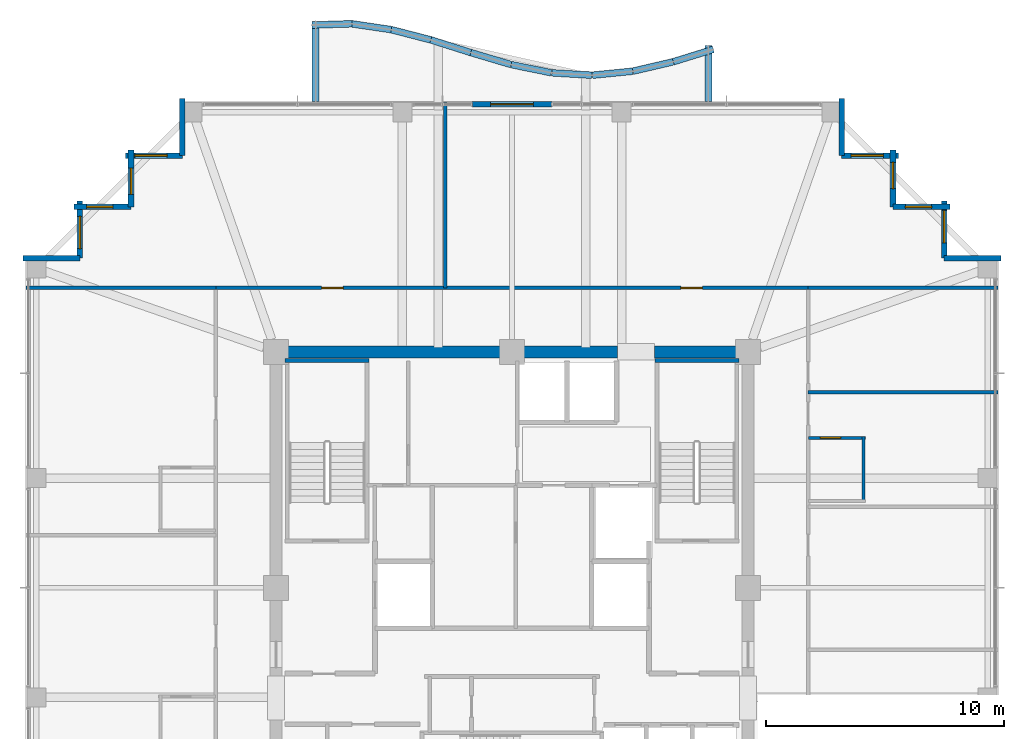
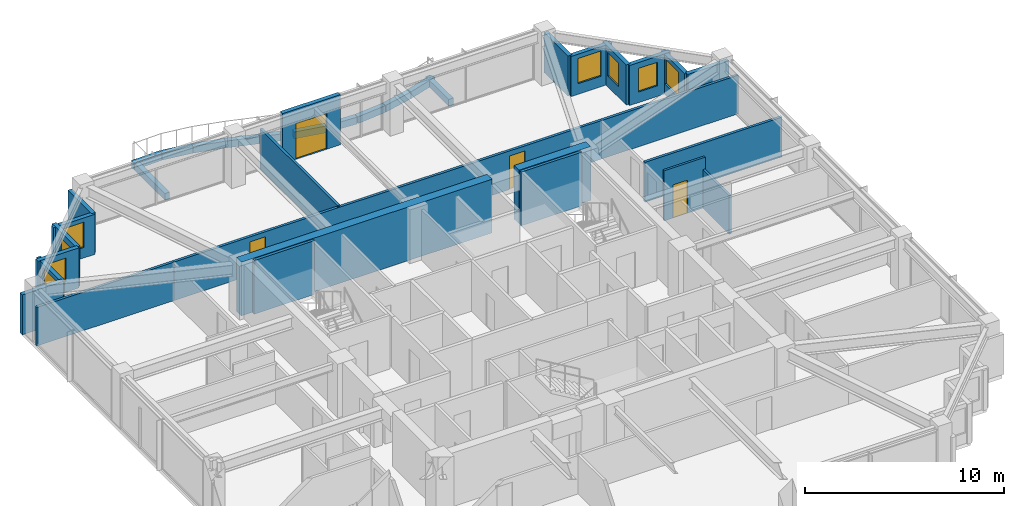
# One storey, part 33 of 36: 36 walls, 8 windows, 4 doors, 12 openings.
"""IFC4 building model written with IfcOpenShell, lengths in metres."""

from ifc_helpers import new_model, si_unit, direction, frame, frame_2d, origin, place, context, subcontext, project, spatial, rectangle, extrude, material, layer, layer_set, type_object, element, fill, save


model = new_model("IFC4")

# Units and contexts
model_context = context("Model", 3, precision=1e-05, world=origin(), true_north=direction((0.0, 1.0)))
body_context = subcontext(model_context, "Body", "Model", "MODEL_VIEW")
ifc_project = project(units=[si_unit("LENGTHUNIT", "METRE"), si_unit("AREAUNIT", "SQUARE_METRE"), si_unit("VOLUMEUNIT", "CUBIC_METRE"), si_unit("PLANEANGLEUNIT", "RADIAN"), si_unit("MASSUNIT", "GRAM", prefix="KILO")], contexts=[model_context])

# Site, building, storey
site_placement = place(None, origin())
site = spatial("IfcSite", under=ifc_project, at=site_placement, CompositionType="ELEMENT")
building_placement = place(site_placement, origin())
building = spatial("IfcBuilding", under=site, at=building_placement, Name="Kolvaren Belvedere", CompositionType="ELEMENT")
storey_placement = place(building_placement, frame((0.0, 0.0, 196.5)))
storey = spatial("IfcBuildingStorey", under=building, at=storey_placement, Name="L57", CompositionType="ELEMENT", Elevation=196.5)

# Walls
ifc_material_1 = material(Name="Concrete C50/60", Category="concrete")
ifc_layer_1 = layer(ifc_material_1, 0.5)
ifc_layer_set_1 = layer_set([ifc_layer_1], Name="Concrete C50/60")
wall_type_1 = type_object("IfcWallType", Name="CW-CORE-500", PredefinedType="SHEAR", material=ifc_layer_set_1)
wall_1_placement = place(storey_placement, frame((-10.14990234375, 9.89990234375, 0.0), z_axis=(0.0, 0.0, 1.0), x_axis=(1.0, 0.0, 0.0)))
element("IfcWall", 1, at=wall_1_placement, inside=storey, type_object=wall_type_1, Name="L57 North Core Shear Wall 1", PredefinedType="SHEAR", context=body_context, shape_type="SweptSolid", body=[
    extrude(rectangle(XDim=14.56982421875, YDim=0.5, at=frame_2d((7.284912109375, 0.0))), origin(), (0.0, 0.0, 1.0), 3.300048828125),
])
wall_2_placement = place(storey_placement, frame((5.97998046875, 9.89990234375, 0.0), z_axis=(0.0, 0.0, 1.0), x_axis=(1.0, 0.0, 0.0)))
element("IfcWall", 2, at=wall_2_placement, inside=storey, type_object=wall_type_1, Name="L57 North Core Shear Wall 2", PredefinedType="SHEAR", context=body_context, shape_type="SweptSolid", body=[
    extrude(rectangle(XDim=4.169921875, YDim=0.5, at=frame_2d((2.0849609375, 0.0))), origin(), (0.0, 0.0, 1.0), 3.300048828125),
])
ifc_material_2 = material(Name="Concrete C50/60", Category="concrete")
ifc_layer_2 = layer(ifc_material_2, 0.159912109375)
ifc_layer_set_2 = layer_set([ifc_layer_2], Name="Concrete C50/60")
wall_type_2 = type_object("IfcWallType", Name="CW-STAIR-160", PredefinedType="SHEAR", material=ifc_layer_set_2)
for number, where, z_axis, x_axis, name in (
    (3, (-9.52001953125, 9.530029296875, 0.0), (0.0, 0.0, 1.0), (1.0, 0.0, 0.0), "L57 Stair ST-1 North Shear Wall"),
    (4, (6.0, 9.530029296875, 0.0), (0.0, 0.0, 1.0), (1.0, 0.0, 0.0), "L57 Stair ST-2 North Shear Wall"),
):
    element("IfcWall", number, at=place(storey_placement, frame(where, z_axis=z_axis, x_axis=x_axis)), inside=storey, type_object=wall_type_2, Name=name, PredefinedType="SHEAR", context=body_context, shape_type="SweptSolid", body=[
        extrude(rectangle(XDim=3.52001953125, YDim=0.159912109375, at=frame_2d((1.760009765625, 0.0))), origin(), (0.0, 0.0, 1.0), 3.300048828125),
    ])

# Wall, openings, doors
ifc_material_3 = material(Name="Gypsum fire-rated partition assembly", Category="gypsum")
ifc_layer_3 = layer(ifc_material_3, 0.14990234375)
ifc_layer_set_3 = layer_set([ifc_layer_3], Name="Gypsum fire-rated partition assembly")
wall_type_3 = type_object("IfcWallType", Name="WL-CORR-150", PredefinedType="PARTITIONING", material=ifc_layer_set_3)
wall_3_placement = place(storey_placement, frame((-12.419921875, 12.580078125, 0.0), z_axis=(0.0, 0.0, 1.0), x_axis=(1.0, 0.0, 0.0)))
wall_3 = element("IfcWall", 5, at=wall_3_placement, inside=storey, type_object=wall_type_3, Name="L57 North Corridor Wall", PredefinedType="PARTITIONING", context=body_context, shape_type="SweptSolid", body=[
    extrude(rectangle(XDim=24.83984375, YDim=0.14990234375, at=frame_2d((12.419921875, 0.0))), origin(), (0.0, 0.0, 1.0), 2.368896484375),
])
opening_1_placement = place(wall_3_placement, frame((4.43505859375, 0.0, 0.0)))
opening_1 = element("IfcOpeningElement", 6, at=opening_1_placement, cuts=wall_3, Name="Opening D-INT90", PredefinedType="OPENING", context=body_context, shape_type="SweptSolid", body=[
    extrude(rectangle(XDim=0.89990234375, YDim=2.06005859375, at=frame_2d((0.449951171875, 1.030029296875))), frame((0.0, 0.0849609375, 0.0), z_axis=(0.0, -1.0, 0.0), x_axis=(1.0, 0.0, 0.0)), (0.0, 0.0, 1.0), 0.169921875),
])
opening_2_placement = place(wall_3_placement, frame((19.5048828125, 0.0, 0.0)))
opening_2 = element("IfcOpeningElement", 7, at=opening_2_placement, cuts=wall_3, Name="Opening D-INT90", PredefinedType="OPENING", context=body_context, shape_type="SweptSolid", body=[
    extrude(rectangle(XDim=0.89990234375, YDim=2.06005859375, at=frame_2d((0.449951171875, 1.030029296875))), frame((0.0, 0.0849609375, 0.0), z_axis=(0.0, -1.0, 0.0), x_axis=(1.0, 0.0, 0.0)), (0.0, 0.0, 1.0), 0.169921875),
])
ifc_material_4 = material(Name="Stained Pacific white oak", Category="timber")
door_type_1 = type_object("IfcDoorType", Name="DR-INT-900", OperationType="NOTDEFINED", PredefinedType="DOOR", material=ifc_material_4)
door_1_placement = place(opening_1_placement, origin())
door_1 = element("IfcDoor", 8, at=door_1_placement, inside=storey, type_object=door_type_1, Name="L57 Lounge 5711 Door", OperationType="SINGLE_SWING_RIGHT", OverallHeight=2.06005859375, OverallWidth=0.89990234375, PredefinedType="DOOR", context=body_context, shape_type="SweptSolid", body=[
    extrude(rectangle(XDim=0.89990234375, YDim=2.06005859375, at=frame_2d((0.449951171875, 1.030029296875))), frame((0.0, 0.02490234375, 0.0), z_axis=(0.0, -1.0, 0.0), x_axis=(1.0, 0.0, 0.0)), (0.0, 0.0, 1.0), 0.050048828125),
])
fill(opening_1, door_1)
door_2_placement = place(opening_2_placement, origin())
door_2 = element("IfcDoor", 9, at=door_2_placement, inside=storey, type_object=door_type_1, Name="L57 Lounge 5712 Door", OperationType="SINGLE_SWING_LEFT", OverallHeight=2.06005859375, OverallWidth=0.89990234375, PredefinedType="DOOR", context=body_context, shape_type="SweptSolid", body=[
    extrude(rectangle(XDim=0.89990234375, YDim=2.06005859375, at=frame_2d((0.449951171875, 1.030029296875))), frame((0.0, 0.02490234375, 0.0), z_axis=(0.0, -1.0, 0.0), x_axis=(1.0, 0.0, 0.0)), (0.0, 0.0, 1.0), 0.050048828125),
])
fill(opening_2, door_2)

# Wall
ifc_material_5 = material(Name="Insulated pale-metal facade wall assembly", Category="aluminium")
ifc_layer_4 = layer(ifc_material_5, 0.239990234375)
ifc_layer_set_4 = layer_set([ifc_layer_4], Name="Insulated pale-metal facade wall assembly")
wall_type_4 = type_object("IfcWallType", Name="WL-EXT-240", PredefinedType="STANDARD", material=ifc_layer_set_4)
wall_4_placement = place(storey_placement, frame((18.1298828125, 13.830078125, 0.0), z_axis=(0.0, 0.0, 1.0), x_axis=(1.0, 0.0, 0.0)))
element("IfcWall", 10, at=wall_4_placement, inside=storey, type_object=wall_type_4, Name="L57 Serrated Corner Facade Wall 9", PredefinedType="STANDARD", context=body_context, shape_type="SweptSolid", body=[
    extrude(rectangle(XDim=2.39013671875, YDim=0.239990234375, at=frame_2d((1.195068359375, 0.0))), origin(), (0.0, 0.0, 1.0), 2.462890625),
])

# Wall, opening, window
wall_5_placement = place(storey_placement, frame((18.1298828125, 16.219970703125, 0.0), z_axis=(0.0, 0.0, 1.0), x_axis=(0.0, -1.0, 0.0)))
wall_5 = element("IfcWall", 11, at=wall_5_placement, inside=storey, type_object=wall_type_4, Name="L57 Serrated Corner Facade Wall 10", PredefinedType="STANDARD", context=body_context, shape_type="SweptSolid", body=[
    extrude(rectangle(XDim=2.389892578125, YDim=0.239990234375, at=frame_2d((1.19482421875, 0.0))), origin(), (0.0, 0.0, 1.0), 2.462890625),
])
opening_3_placement = place(wall_5_placement, frame((0.39990234375, 0.0, 0.64990234375)))
opening_3 = element("IfcOpeningElement", 12, at=opening_3_placement, cuts=wall_5, Name="Opening W-1350", PredefinedType="OPENING", context=body_context, shape_type="SweptSolid", body=[
    extrude(rectangle(XDim=1.35009765625, YDim=1.550048828125, at=frame_2d((0.675048828125, 0.77490234375))), frame((0.0, 0.1298828125, 0.0), z_axis=(0.0, -1.0, 0.0), x_axis=(1.0, 0.0, 0.0)), (0.0, 0.0, 1.0), 0.260009765625),
])
ifc_material_6 = material(Name="Low-iron triple insulated glass", Category="glass")
window_type_1 = type_object("IfcWindowType", Name="WN-CORN-1350", PartitioningType="SINGLE_PANEL", PredefinedType="WINDOW", material=ifc_material_6)
window_1_placement = place(opening_3_placement, origin())
window_1 = element("IfcWindow", 13, at=window_1_placement, inside=storey, type_object=window_type_1, Name="L57 Serrated Corner Vision Window 10", OverallHeight=1.550048828125, OverallWidth=1.35009765625, PartitioningType="SINGLE_PANEL", PredefinedType="WINDOW", context=body_context, shape_type="SweptSolid", body=[
    extrude(rectangle(XDim=1.35009765625, YDim=1.550048828125, at=frame_2d((0.675048828125, 0.77490234375))), frame((0.0, 0.030029296875, 0.0), z_axis=(0.0, -1.0, 0.0), x_axis=(1.0, 0.0, 0.0)), (0.0, 0.0, 1.0), 0.06005859375),
])
fill(opening_3, window_1)

wall_6_placement = place(storey_placement, frame((15.97998046875, 15.97998046875, 0.0), z_axis=(0.0, 0.0, 1.0), x_axis=(1.0, 0.0, 0.0)))
wall_6 = element("IfcWall", 14, at=wall_6_placement, inside=storey, type_object=wall_type_4, Name="L57 Serrated Corner Facade Wall 11", PredefinedType="STANDARD", context=body_context, shape_type="SweptSolid", body=[
    extrude(rectangle(XDim=2.39013671875, YDim=0.239990234375, at=frame_2d((1.195068359375, 0.0))), origin(), (0.0, 0.0, 1.0), 2.462890625),
])
opening_4_placement = place(wall_6_placement, frame((0.52490234375, 0.0, 0.64990234375)))
opening_4 = element("IfcOpeningElement", 15, at=opening_4_placement, cuts=wall_6, Name="Opening W-1100", PredefinedType="OPENING", context=body_context, shape_type="SweptSolid", body=[
    extrude(rectangle(XDim=1.10009765625, YDim=1.449951171875, at=frame_2d((0.550048828125, 0.72509765625))), frame((0.0, 0.1298828125, 0.0), z_axis=(0.0, -1.0, 0.0), x_axis=(1.0, 0.0, 0.0)), (0.0, 0.0, 1.0), 0.260009765625),
])
ifc_material_7 = material(Name="Low-iron triple insulated glass", Category="glass")
window_type_2 = type_object("IfcWindowType", Name="WN-CORN-1100", PartitioningType="SINGLE_PANEL", PredefinedType="WINDOW", material=ifc_material_7)
window_2_placement = place(opening_4_placement, origin())
window_2 = element("IfcWindow", 16, at=window_2_placement, inside=storey, type_object=window_type_2, Name="L57 Serrated Corner Vision Window 11", OverallHeight=1.449951171875, OverallWidth=1.10009765625, PartitioningType="SINGLE_PANEL", PredefinedType="WINDOW", context=body_context, shape_type="SweptSolid", body=[
    extrude(rectangle(XDim=1.10009765625, YDim=1.449951171875, at=frame_2d((0.550048828125, 0.72509765625))), frame((0.0, 0.030029296875, 0.0), z_axis=(0.0, -1.0, 0.0), x_axis=(1.0, 0.0, 0.0)), (0.0, 0.0, 1.0), 0.06005859375),
])
fill(opening_4, window_2)

wall_7_placement = place(storey_placement, frame((15.97998046875, 18.3701171875, 0.0), z_axis=(0.0, 0.0, 1.0), x_axis=(0.0, -1.0, 0.0)))
wall_7 = element("IfcWall", 17, at=wall_7_placement, inside=storey, type_object=wall_type_4, Name="L57 Serrated Corner Facade Wall 12", PredefinedType="STANDARD", context=body_context, shape_type="SweptSolid", body=[
    extrude(rectangle(XDim=2.39013671875, YDim=0.239990234375, at=frame_2d((1.195068359375, 0.0))), origin(), (0.0, 0.0, 1.0), 2.462890625),
])
opening_5_placement = place(wall_7_placement, frame((0.52490234375, 0.0, 0.64990234375)))
opening_5 = element("IfcOpeningElement", 18, at=opening_5_placement, cuts=wall_7, Name="Opening W-1100", PredefinedType="OPENING", context=body_context, shape_type="SweptSolid", body=[
    extrude(rectangle(XDim=1.10009765625, YDim=1.449951171875, at=frame_2d((0.550048828125, 0.72509765625))), frame((0.0, 0.1298828125, 0.0), z_axis=(0.0, -1.0, 0.0), x_axis=(1.0, 0.0, 0.0)), (0.0, 0.0, 1.0), 0.260009765625),
])
window_3_placement = place(opening_5_placement, origin())
window_3 = element("IfcWindow", 19, at=window_3_placement, inside=storey, type_object=window_type_2, Name="L57 Serrated Corner Vision Window 12", OverallHeight=1.449951171875, OverallWidth=1.10009765625, PartitioningType="SINGLE_PANEL", PredefinedType="WINDOW", context=body_context, shape_type="SweptSolid", body=[
    extrude(rectangle(XDim=1.10009765625, YDim=1.449951171875, at=frame_2d((0.550048828125, 0.72509765625))), frame((0.0, 0.030029296875, 0.0), z_axis=(0.0, -1.0, 0.0), x_axis=(1.0, 0.0, 0.0)), (0.0, 0.0, 1.0), 0.06005859375),
])
fill(opening_5, window_3)

wall_8_placement = place(storey_placement, frame((13.830078125, 18.1298828125, 0.0), z_axis=(0.0, 0.0, 1.0), x_axis=(1.0, 0.0, 0.0)))
wall_8 = element("IfcWall", 20, at=wall_8_placement, inside=storey, type_object=wall_type_4, Name="L57 Serrated Corner Facade Wall 13", PredefinedType="STANDARD", context=body_context, shape_type="SweptSolid", body=[
    extrude(rectangle(XDim=2.389892578125, YDim=0.239990234375, at=frame_2d((1.19482421875, 0.0))), origin(), (0.0, 0.0, 1.0), 2.462890625),
])
opening_6_placement = place(wall_8_placement, frame((0.39990234375, 0.0, 0.64990234375)))
opening_6 = element("IfcOpeningElement", 21, at=opening_6_placement, cuts=wall_8, Name="Opening W-1350", PredefinedType="OPENING", context=body_context, shape_type="SweptSolid", body=[
    extrude(rectangle(XDim=1.35009765625, YDim=1.550048828125, at=frame_2d((0.675048828125, 0.77490234375))), frame((0.0, 0.1298828125, 0.0), z_axis=(0.0, -1.0, 0.0), x_axis=(1.0, 0.0, 0.0)), (0.0, 0.0, 1.0), 0.260009765625),
])
window_4_placement = place(opening_6_placement, origin())
window_4 = element("IfcWindow", 22, at=window_4_placement, inside=storey, type_object=window_type_1, Name="L57 Serrated Corner Vision Window 13", OverallHeight=1.550048828125, OverallWidth=1.35009765625, PartitioningType="SINGLE_PANEL", PredefinedType="WINDOW", context=body_context, shape_type="SweptSolid", body=[
    extrude(rectangle(XDim=1.35009765625, YDim=1.550048828125, at=frame_2d((0.675048828125, 0.77490234375))), frame((0.0, 0.030029296875, 0.0), z_axis=(0.0, -1.0, 0.0), x_axis=(1.0, 0.0, 0.0)), (0.0, 0.0, 1.0), 0.06005859375),
])
fill(opening_6, window_4)

# Wall
wall_9_placement = place(storey_placement, frame((13.830078125, 20.52001953125, 0.0), z_axis=(0.0, 0.0, 1.0), x_axis=(0.0, -1.0, 0.0)))
element("IfcWall", 23, at=wall_9_placement, inside=storey, type_object=wall_type_4, Name="L57 Serrated Corner Facade Wall 14", PredefinedType="STANDARD", context=body_context, shape_type="SweptSolid", body=[
    extrude(rectangle(XDim=2.39013671875, YDim=0.239990234375, at=frame_2d((1.195068359375, 0.0))), origin(), (0.0, 0.0, 1.0), 2.462890625),
])

# Wall, opening, door
wall_10_placement = place(storey_placement, frame((-1.679931640625, 20.280029296875, 0.0), z_axis=(0.0, 0.0, 1.0), x_axis=(1.0, 0.0, 0.0)))
wall_10 = element("IfcWall", 24, at=wall_10_placement, inside=storey, type_object=wall_type_4, Name="L57 North Terrace Portal Wall", PredefinedType="STANDARD", context=body_context, shape_type="SweptSolid", body=[
    extrude(rectangle(XDim=3.35986328125, YDim=0.239990234375, at=frame_2d((1.679931640625, 0.0))), origin(), (0.0, 0.0, 1.0), 3.080078125),
])
opening_7_placement = place(wall_10_placement, frame((0.780029296875, 0.0, 0.0)))
opening_7 = element("IfcOpeningElement", 25, at=opening_7_placement, cuts=wall_10, Name="Opening DB-1800", PredefinedType="OPENING", context=body_context, shape_type="SweptSolid", body=[
    extrude(rectangle(XDim=1.800048828125, YDim=2.199951171875, at=frame_2d((0.89990234375, 1.10009765625))), frame((0.0, 0.1298828125, 0.0), z_axis=(0.0, -1.0, 0.0), x_axis=(1.0, 0.0, 0.0)), (0.0, 0.0, 1.0), 0.260009765625),
])
ifc_material_8 = material(Name="Thermally broken pale-metal aluminium & low-iron glass", Category="aluminium")
door_type_2 = type_object("IfcDoorType", Name="DR-BAL-1800", OperationType="DOUBLE_DOOR_SLIDING", PredefinedType="DOOR", material=ifc_material_8)
door_3_placement = place(opening_7_placement, origin())
door_3 = element("IfcDoor", 26, at=door_3_placement, inside=storey, type_object=door_type_2, Name="L57 North Planted Terrace Sliding Door", OperationType="DOUBLE_DOOR_SLIDING", OverallHeight=2.199951171875, OverallWidth=1.800048828125, PredefinedType="DOOR", context=body_context, shape_type="SweptSolid", body=[
    extrude(rectangle(XDim=1.800048828125, YDim=2.199951171875, at=frame_2d((0.89990234375, 1.10009765625))), frame((0.0, 0.02490234375, 0.0), z_axis=(0.0, -1.0, 0.0), x_axis=(1.0, 0.0, 0.0)), (0.0, 0.0, 1.0), 0.050048828125),
])
fill(opening_7, door_3)

# Wall
wall_11_placement = place(storey_placement, frame((-13.830078125, 18.1298828125, 0.0), z_axis=(0.0, 0.0, 1.0), x_axis=(0.0, 1.0, 0.0)))
element("IfcWall", 27, at=wall_11_placement, inside=storey, type_object=wall_type_4, Name="L57 Serrated Corner Facade Wall 16", PredefinedType="STANDARD", context=body_context, shape_type="SweptSolid", body=[
    extrude(rectangle(XDim=2.39013671875, YDim=0.239990234375, at=frame_2d((1.195068359375, 0.0))), origin(), (0.0, 0.0, 1.0), 2.462890625),
])

# Wall, opening, window
wall_12_placement = place(storey_placement, frame((-16.219970703125, 18.1298828125, 0.0), z_axis=(0.0, 0.0, 1.0), x_axis=(1.0, 0.0, 0.0)))
wall_12 = element("IfcWall", 28, at=wall_12_placement, inside=storey, type_object=wall_type_4, Name="L57 Serrated Corner Facade Wall 17", PredefinedType="STANDARD", context=body_context, shape_type="SweptSolid", body=[
    extrude(rectangle(XDim=2.389892578125, YDim=0.239990234375, at=frame_2d((1.19482421875, 0.0))), origin(), (0.0, 0.0, 1.0), 2.462890625),
])
opening_8_placement = place(wall_12_placement, frame((0.39990234375, 0.0, 0.64990234375)))
opening_8 = element("IfcOpeningElement", 29, at=opening_8_placement, cuts=wall_12, Name="Opening W-1350", PredefinedType="OPENING", context=body_context, shape_type="SweptSolid", body=[
    extrude(rectangle(XDim=1.35009765625, YDim=1.550048828125, at=frame_2d((0.675048828125, 0.77490234375))), frame((0.0, 0.1298828125, 0.0), z_axis=(0.0, -1.0, 0.0), x_axis=(1.0, 0.0, 0.0)), (0.0, 0.0, 1.0), 0.260009765625),
])
window_5_placement = place(opening_8_placement, origin())
window_5 = element("IfcWindow", 30, at=window_5_placement, inside=storey, type_object=window_type_1, Name="L57 Serrated Corner Vision Window 17", OverallHeight=1.550048828125, OverallWidth=1.35009765625, PartitioningType="SINGLE_PANEL", PredefinedType="WINDOW", context=body_context, shape_type="SweptSolid", body=[
    extrude(rectangle(XDim=1.35009765625, YDim=1.550048828125, at=frame_2d((0.675048828125, 0.77490234375))), frame((0.0, 0.030029296875, 0.0), z_axis=(0.0, -1.0, 0.0), x_axis=(1.0, 0.0, 0.0)), (0.0, 0.0, 1.0), 0.06005859375),
])
fill(opening_8, window_5)

wall_13_placement = place(storey_placement, frame((-15.97998046875, 15.97998046875, 0.0), z_axis=(0.0, 0.0, 1.0), x_axis=(0.0, 1.0, 0.0)))
wall_13 = element("IfcWall", 31, at=wall_13_placement, inside=storey, type_object=wall_type_4, Name="L57 Serrated Corner Facade Wall 18", PredefinedType="STANDARD", context=body_context, shape_type="SweptSolid", body=[
    extrude(rectangle(XDim=2.39013671875, YDim=0.239990234375, at=frame_2d((1.195068359375, 0.0))), origin(), (0.0, 0.0, 1.0), 2.462890625),
])
opening_9_placement = place(wall_13_placement, frame((0.52490234375, 0.0, 0.64990234375)))
opening_9 = element("IfcOpeningElement", 32, at=opening_9_placement, cuts=wall_13, Name="Opening W-1100", PredefinedType="OPENING", context=body_context, shape_type="SweptSolid", body=[
    extrude(rectangle(XDim=1.10009765625, YDim=1.449951171875, at=frame_2d((0.550048828125, 0.72509765625))), frame((0.0, 0.1298828125, 0.0), z_axis=(0.0, -1.0, 0.0), x_axis=(1.0, 0.0, 0.0)), (0.0, 0.0, 1.0), 0.260009765625),
])
window_6_placement = place(opening_9_placement, origin())
window_6 = element("IfcWindow", 33, at=window_6_placement, inside=storey, type_object=window_type_2, Name="L57 Serrated Corner Vision Window 18", OverallHeight=1.449951171875, OverallWidth=1.10009765625, PartitioningType="SINGLE_PANEL", PredefinedType="WINDOW", context=body_context, shape_type="SweptSolid", body=[
    extrude(rectangle(XDim=1.10009765625, YDim=1.449951171875, at=frame_2d((0.550048828125, 0.72509765625))), frame((0.0, 0.030029296875, 0.0), z_axis=(0.0, -1.0, 0.0), x_axis=(1.0, 0.0, 0.0)), (0.0, 0.0, 1.0), 0.06005859375),
])
fill(opening_9, window_6)

wall_14_placement = place(storey_placement, frame((-18.3701171875, 15.97998046875, 0.0), z_axis=(0.0, 0.0, 1.0), x_axis=(1.0, 0.0, 0.0)))
wall_14 = element("IfcWall", 34, at=wall_14_placement, inside=storey, type_object=wall_type_4, Name="L57 Serrated Corner Facade Wall 19", PredefinedType="STANDARD", context=body_context, shape_type="SweptSolid", body=[
    extrude(rectangle(XDim=2.39013671875, YDim=0.239990234375, at=frame_2d((1.195068359375, 0.0))), origin(), (0.0, 0.0, 1.0), 2.462890625),
])
opening_10_placement = place(wall_14_placement, frame((0.52490234375, 0.0, 0.64990234375)))
opening_10 = element("IfcOpeningElement", 35, at=opening_10_placement, cuts=wall_14, Name="Opening W-1100", PredefinedType="OPENING", context=body_context, shape_type="SweptSolid", body=[
    extrude(rectangle(XDim=1.10009765625, YDim=1.449951171875, at=frame_2d((0.550048828125, 0.72509765625))), frame((0.0, 0.1298828125, 0.0), z_axis=(0.0, -1.0, 0.0), x_axis=(1.0, 0.0, 0.0)), (0.0, 0.0, 1.0), 0.260009765625),
])
window_7_placement = place(opening_10_placement, origin())
window_7 = element("IfcWindow", 36, at=window_7_placement, inside=storey, type_object=window_type_2, Name="L57 Serrated Corner Vision Window 19", OverallHeight=1.449951171875, OverallWidth=1.10009765625, PartitioningType="SINGLE_PANEL", PredefinedType="WINDOW", context=body_context, shape_type="SweptSolid", body=[
    extrude(rectangle(XDim=1.10009765625, YDim=1.449951171875, at=frame_2d((0.550048828125, 0.72509765625))), frame((0.0, 0.030029296875, 0.0), z_axis=(0.0, -1.0, 0.0), x_axis=(1.0, 0.0, 0.0)), (0.0, 0.0, 1.0), 0.06005859375),
])
fill(opening_10, window_7)

wall_15_placement = place(storey_placement, frame((-18.1298828125, 13.830078125, 0.0), z_axis=(0.0, 0.0, 1.0), x_axis=(0.0, 1.0, 0.0)))
wall_15 = element("IfcWall", 37, at=wall_15_placement, inside=storey, type_object=wall_type_4, Name="L57 Serrated Corner Facade Wall 20", PredefinedType="STANDARD", context=body_context, shape_type="SweptSolid", body=[
    extrude(rectangle(XDim=2.389892578125, YDim=0.239990234375, at=frame_2d((1.19482421875, 0.0))), origin(), (0.0, 0.0, 1.0), 2.462890625),
])
opening_11_placement = place(wall_15_placement, frame((0.39990234375, 0.0, 0.64990234375)))
opening_11 = element("IfcOpeningElement", 38, at=opening_11_placement, cuts=wall_15, Name="Opening W-1350", PredefinedType="OPENING", context=body_context, shape_type="SweptSolid", body=[
    extrude(rectangle(XDim=1.35009765625, YDim=1.550048828125, at=frame_2d((0.675048828125, 0.77490234375))), frame((0.0, 0.1298828125, 0.0), z_axis=(0.0, -1.0, 0.0), x_axis=(1.0, 0.0, 0.0)), (0.0, 0.0, 1.0), 0.260009765625),
])
window_8_placement = place(opening_11_placement, origin())
window_8 = element("IfcWindow", 39, at=window_8_placement, inside=storey, type_object=window_type_1, Name="L57 Serrated Corner Vision Window 20", OverallHeight=1.550048828125, OverallWidth=1.35009765625, PartitioningType="SINGLE_PANEL", PredefinedType="WINDOW", context=body_context, shape_type="SweptSolid", body=[
    extrude(rectangle(XDim=1.35009765625, YDim=1.550048828125, at=frame_2d((0.675048828125, 0.77490234375))), frame((0.0, 0.030029296875, 0.0), z_axis=(0.0, -1.0, 0.0), x_axis=(1.0, 0.0, 0.0)), (0.0, 0.0, 1.0), 0.06005859375),
])
fill(opening_11, window_8)

# Walls
wall_16_placement = place(storey_placement, frame((-20.52001953125, 13.830078125, 0.0), z_axis=(0.0, 0.0, 1.0), x_axis=(1.0, 0.0, 0.0)))
element("IfcWall", 40, at=wall_16_placement, inside=storey, type_object=wall_type_4, Name="L57 Serrated Corner Facade Wall 21", PredefinedType="STANDARD", context=body_context, shape_type="SweptSolid", body=[
    extrude(rectangle(XDim=2.39013671875, YDim=0.239990234375, at=frame_2d((1.195068359375, 0.0))), origin(), (0.0, 0.0, 1.0), 2.462890625),
])
ifc_material_9 = material(Name="Gypsum acoustic partition assembly", Category="gypsum")
ifc_layer_5 = layer(ifc_material_9, 0.14990234375)
ifc_layer_set_5 = layer_set([ifc_layer_5], Name="Gypsum acoustic partition assembly")
wall_type_5 = type_object("IfcWallType", Name="WL-PART-150", PredefinedType="PARTITIONING", material=ifc_layer_set_5)
for number, where, z_axis, x_axis, name in (
    (41, (-20.3798828125, 12.580078125, 0.0), (0.0, 0.0, 1.0), (1.0, 0.0, 0.0), "L57 Wing Divider PW-L57-QNW"),
    (42, (12.419921875, 12.580078125, 0.0), (0.0, 0.0, 1.0), (1.0, 0.0, 0.0), "L57 Wing Divider PW-L57-QNE"),
):
    element("IfcWall", number, at=place(storey_placement, frame(where, z_axis=z_axis, x_axis=x_axis)), inside=storey, type_object=wall_type_5, Name=name, PredefinedType="PARTITIONING", context=body_context, shape_type="SweptSolid", body=[
        extrude(rectangle(XDim=7.9599609375, YDim=0.14990234375, at=frame_2d((3.97998046875, 0.0))), origin(), (0.0, 0.0, 1.0), 2.368896484375),
    ])
wall_17_placement = place(storey_placement, frame((12.419921875, 8.199951171875, 0.0), z_axis=(0.0, 0.0, 1.0), x_axis=(1.0, 0.0, 0.0)))
element("IfcWall", 43, at=wall_17_placement, inside=storey, type_object=wall_type_5, Name="L57 East Suite Demising Wall 4", PredefinedType="PARTITIONING", context=body_context, shape_type="SweptSolid", body=[
    extrude(rectangle(XDim=7.9599609375, YDim=0.14990234375, at=frame_2d((3.97998046875, 0.0))), origin(), (0.0, 0.0, 1.0), 2.452880859375),
])
wall_18_placement = place(storey_placement, frame((-2.800048828125, 12.580078125, 0.0), z_axis=(0.0, 0.0, 1.0), x_axis=(0.0, 1.0, 0.0)))
element("IfcWall", 44, at=wall_18_placement, inside=storey, type_object=wall_type_5, Name="L57 North Suite Demising Wall 1", PredefinedType="PARTITIONING", context=body_context, shape_type="SweptSolid", body=[
    extrude(rectangle(XDim=7.7998046875, YDim=0.14990234375, at=frame_2d((3.89990234375, 0.0))), origin(), (0.0, 0.0, 1.0), 2.452880859375),
])
ifc_material_10 = material(Name="Precast concrete C40/50", Category="concrete")
ifc_layer_6 = layer(ifc_material_10, 0.300048828125)
ifc_layer_set_6 = layer_set([ifc_layer_6], Name="Precast concrete C40/50")
wall_type_6 = type_object("IfcWallType", Name="WL-PLANTER-300", PredefinedType="PARAPET", material=ifc_layer_set_6)
wall_19_placement = place(storey_placement, frame((8.239990234375, 20.39990234375, -0.0400390625), z_axis=(0.0, 0.0, 1.0), x_axis=(0.0, 1.0, 0.0)))
element("IfcWall", 45, at=wall_19_placement, inside=storey, type_object=wall_type_6, Name="L57 Precast Structural Planter Wall BAL-N-11", PredefinedType="PARAPET", context=body_context, shape_type="SweptSolid", body=[
    extrude(rectangle(XDim=2.340087890625, YDim=0.280029296875, at=frame_2d((1.169921875, 0.0))), origin(), (0.0, 0.0, 1.0), 0.419921875),
])
wall_20_placement = place(storey_placement, frame((8.447265625, 22.587158203125, -0.0400390625), z_axis=(0.0, 0.0, 1.0), x_axis=(-0.95524013163, -0.295831524561, 0.0)))
element("IfcWall", 46, at=wall_20_placement, inside=storey, type_object=wall_type_6, Name="L57 Precast Structural Planter Wall BAL-N-12", PredefinedType="PARAPET", context=body_context, shape_type="SweptSolid", body=[
    extrude(rectangle(XDim=1.758544921875, YDim=0.280029296875, at=frame_2d((0.87939453125, 0.0))), origin(), (0.0, 0.0, 1.0), 0.419921875),
])
wall_21_placement = place(storey_placement, frame((6.75634765625, 22.06396484375, -0.0400390625), z_axis=(0.0, 0.0, 1.0), x_axis=(-0.973890253884, -0.227019323824, 0.0)))
element("IfcWall", 47, at=wall_21_placement, inside=storey, type_object=wall_type_6, Name="L57 Precast Structural Planter Wall BAL-N-13", PredefinedType="PARAPET", context=body_context, shape_type="SweptSolid", body=[
    extrude(rectangle(XDim=1.724853515625, YDim=0.280029296875, at=frame_2d((0.8623046875, 0.0))), origin(), (0.0, 0.0, 1.0), 0.419921875),
])
wall_22_placement = place(storey_placement, frame((5.0556640625, 21.6689453125, -0.0400390625), z_axis=(0.0, 0.0, 1.0), x_axis=(-0.995152499202, -0.098343801694, 0.0)))
element("IfcWall", 48, at=wall_22_placement, inside=storey, type_object=wall_type_6, Name="L57 Precast Structural Planter Wall BAL-N-14", PredefinedType="PARAPET", context=body_context, shape_type="SweptSolid", body=[
    extrude(rectangle(XDim=1.688232421875, YDim=0.280029296875, at=frame_2d((0.84423828125, 0.0))), origin(), (0.0, 0.0, 1.0), 0.419921875),
])
wall_23_placement = place(storey_placement, frame((3.350341796875, 21.50244140625, -0.0400390625), z_axis=(0.0, 0.0, 1.0), x_axis=(-0.998212296378, 0.059767979379, 0.0)))
element("IfcWall", 49, at=wall_23_placement, inside=storey, type_object=wall_type_6, Name="L57 Precast Structural Planter Wall BAL-N-15", PredefinedType="PARAPET", context=body_context, shape_type="SweptSolid", body=[
    extrude(rectangle(XDim=1.682861328125, YDim=0.280029296875, at=frame_2d((0.84130859375, 0.0))), origin(), (0.0, 0.0, 1.0), 0.419921875),
])
wall_24_placement = place(storey_placement, frame((1.64794921875, 21.60595703125, -0.0400390625), z_axis=(0.0, 0.0, 1.0), x_axis=(-0.979839912937, 0.199784246163, 0.0)))
element("IfcWall", 50, at=wall_24_placement, inside=storey, type_object=wall_type_6, Name="L57 Precast Structural Planter Wall BAL-N-16", PredefinedType="PARAPET", context=body_context, shape_type="SweptSolid", body=[
    extrude(rectangle(XDim=1.714599609375, YDim=0.280029296875, at=frame_2d((0.857421875, 0.0))), origin(), (0.0, 0.0, 1.0), 0.419921875),
])
wall_25_placement = place(storey_placement, frame((-0.045654296875, 21.951904296875, -0.0400390625), z_axis=(0.0, 0.0, 1.0), x_axis=(-0.95856309129, 0.284880325779, 0.0)))
element("IfcWall", 51, at=wall_25_placement, inside=storey, type_object=wall_type_6, Name="L57 Precast Structural Planter Wall BAL-N-17", PredefinedType="PARAPET", context=body_context, shape_type="SweptSolid", body=[
    extrude(rectangle(XDim=1.75244140625, YDim=0.280029296875, at=frame_2d((0.876220703125, 0.0))), origin(), (0.0, 0.0, 1.0), 0.419921875),
])
wall_26_placement = place(storey_placement, frame((-1.728515625, 22.4521484375, -0.0400390625), z_axis=(0.0, 0.0, 1.0), x_axis=(-0.953181954832, 0.302397356111, 0.0)))
element("IfcWall", 52, at=wall_26_placement, inside=storey, type_object=wall_type_6, Name="L57 Precast Structural Planter Wall BAL-N-18", PredefinedType="PARAPET", context=body_context, shape_type="SweptSolid", body=[
    extrude(rectangle(XDim=1.762451171875, YDim=0.280029296875, at=frame_2d((0.88134765625, 0.0))), origin(), (0.0, 0.0, 1.0), 0.419921875),
])
wall_27_placement = place(storey_placement, frame((-3.400146484375, 22.982666015625, -0.0400390625), z_axis=(0.0, 0.0, 1.0), x_axis=(-0.968132209145, 0.250439664624, 0.0)))
element("IfcWall", 53, at=wall_27_placement, inside=storey, type_object=wall_type_6, Name="L57 Precast Structural Planter Wall BAL-N-19", PredefinedType="PARAPET", context=body_context, shape_type="SweptSolid", body=[
    extrude(rectangle(XDim=1.7353515625, YDim=0.280029296875, at=frame_2d((0.86767578125, 0.0))), origin(), (0.0, 0.0, 1.0), 0.419921875),
])
wall_28_placement = place(storey_placement, frame((-5.063232421875, 23.413818359375, -0.0400390625), z_axis=(0.0, 0.0, 1.0), x_axis=(-0.98929818871, 0.145907826437, 0.0)))
element("IfcWall", 54, at=wall_28_placement, inside=storey, type_object=wall_type_6, Name="L57 Precast Structural Planter Wall BAL-N-20", PredefinedType="PARAPET", context=body_context, shape_type="SweptSolid", body=[
    extrude(rectangle(XDim=1.6982421875, YDim=0.280029296875, at=frame_2d((0.84912109375, 0.0))), origin(), (0.0, 0.0, 1.0), 0.419921875),
])
wall_29_placement = place(storey_placement, frame((-6.715087890625, 23.66015625, -0.0400390625), z_axis=(0.0, 0.0, 1.0), x_axis=(-0.999503107358, -0.031520443874, 0.0)))
element("IfcWall", 55, at=wall_29_placement, inside=storey, type_object=wall_type_6, Name="L57 Precast Structural Planter Wall BAL-N-21", PredefinedType="PARAPET", context=body_context, shape_type="SweptSolid", body=[
    extrude(rectangle(XDim=1.6806640625, YDim=0.280029296875, at=frame_2d((0.84033203125, 0.0))), origin(), (0.0, 0.0, 1.0), 0.419921875),
])
wall_30_placement = place(storey_placement, frame((-8.239990234375, 23.76708984375, -0.0400390625), z_axis=(0.0, 0.0, 1.0), x_axis=(0.0, -1.0, 0.0)))
element("IfcWall", 56, at=wall_30_placement, inside=storey, type_object=wall_type_6, Name="L57 Precast Structural Planter Wall BAL-N-22", PredefinedType="PARAPET", context=body_context, shape_type="SweptSolid", body=[
    extrude(rectangle(XDim=3.3671875, YDim=0.280029296875, at=frame_2d((1.68359375, 0.0))), origin(), (0.0, 0.0, 1.0), 0.419921875),
])

# Wall, opening, door
ifc_material_11 = material(Name="Moisture-resistant gypsum partition", Category="gypsum")
ifc_layer_7 = layer(ifc_material_11, 0.125)
ifc_layer_set_7 = layer_set([ifc_layer_7], Name="Moisture-resistant gypsum partition")
wall_type_7 = type_object("IfcWallType", Name="WL-WET-125", PredefinedType="PARTITIONING", material=ifc_layer_set_7)
wall_31_placement = place(storey_placement, frame((12.43505859375, 6.2939453125, 0.0), z_axis=(0.0, 0.0, 1.0), x_axis=(1.0, 0.0, 0.0)))
wall_31 = element("IfcWall", 57, at=wall_31_placement, inside=storey, type_object=wall_type_7, Name="L57 Bathroom Partition PW-L57-BTH-6-N", PredefinedType="PARTITIONING", context=body_context, shape_type="SweptSolid", body=[
    extrude(rectangle(XDim=2.389892578125, YDim=0.125, at=frame_2d((1.19482421875, 0.0))), origin(), (0.0, 0.0, 1.0), 3.080078125),
])
opening_12_placement = place(wall_31_placement, frame((0.5, 0.0, 0.0)))
opening_12 = element("IfcOpeningElement", 58, at=opening_12_placement, cuts=wall_31, Name="Opening D-BTH85", PredefinedType="OPENING", context=body_context, shape_type="SweptSolid", body=[
    extrude(rectangle(XDim=0.85009765625, YDim=2.030029296875, at=frame_2d((0.425048828125, 1.01513671875))), frame((0.0, 0.072509765625, 0.0), z_axis=(0.0, -1.0, 0.0), x_axis=(1.0, 0.0, 0.0)), (0.0, 0.0, 1.0), 0.14501953125),
])
ifc_material_12 = material(Name="Moisture-sealed Pacific white oak", Category="timber")
door_type_3 = type_object("IfcDoorType", Name="DR-BATH-850", OperationType="NOTDEFINED", PredefinedType="DOOR", material=ifc_material_12)
door_4_placement = place(opening_12_placement, origin())
door_4 = element("IfcDoor", 59, at=door_4_placement, inside=storey, type_object=door_type_3, Name="L57 En-Suite Bathroom 5706 Door", OperationType="SINGLE_SWING_LEFT", OverallHeight=2.030029296875, OverallWidth=0.85009765625, PredefinedType="DOOR", context=body_context, shape_type="SweptSolid", body=[
    extrude(rectangle(XDim=0.85009765625, YDim=2.030029296875, at=frame_2d((0.425048828125, 1.01513671875))), frame((0.0, 0.02490234375, 0.0), z_axis=(0.0, -1.0, 0.0), x_axis=(1.0, 0.0, 0.0)), (0.0, 0.0, 1.0), 0.050048828125),
])
fill(opening_12, door_4)

# Wall
wall_32_placement = place(storey_placement, frame((14.7451171875, 3.583984375, 0.0), z_axis=(0.0, 0.0, 1.0), x_axis=(0.0, 1.0, 0.0)))
element("IfcWall", 60, at=wall_32_placement, inside=storey, type_object=wall_type_7, Name="L57 Bathroom Partition PW-L57-BTH-6-V", PredefinedType="PARTITIONING", context=body_context, shape_type="SweptSolid", body=[
    extrude(rectangle(XDim=2.77001953125, YDim=0.125, at=frame_2d((1.385009765625, 0.0))), origin(), (0.0, 0.0, 1.0), 2.368896484375),
])

save(model, "model.ifc")
